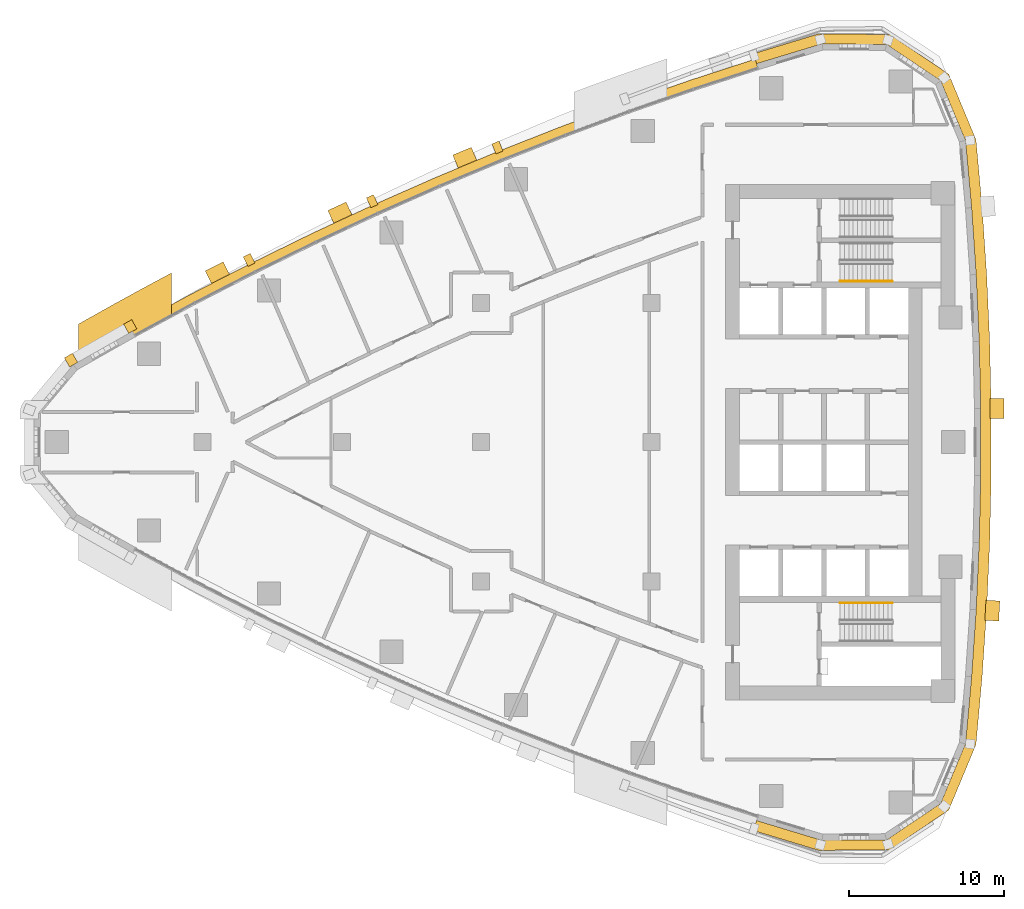
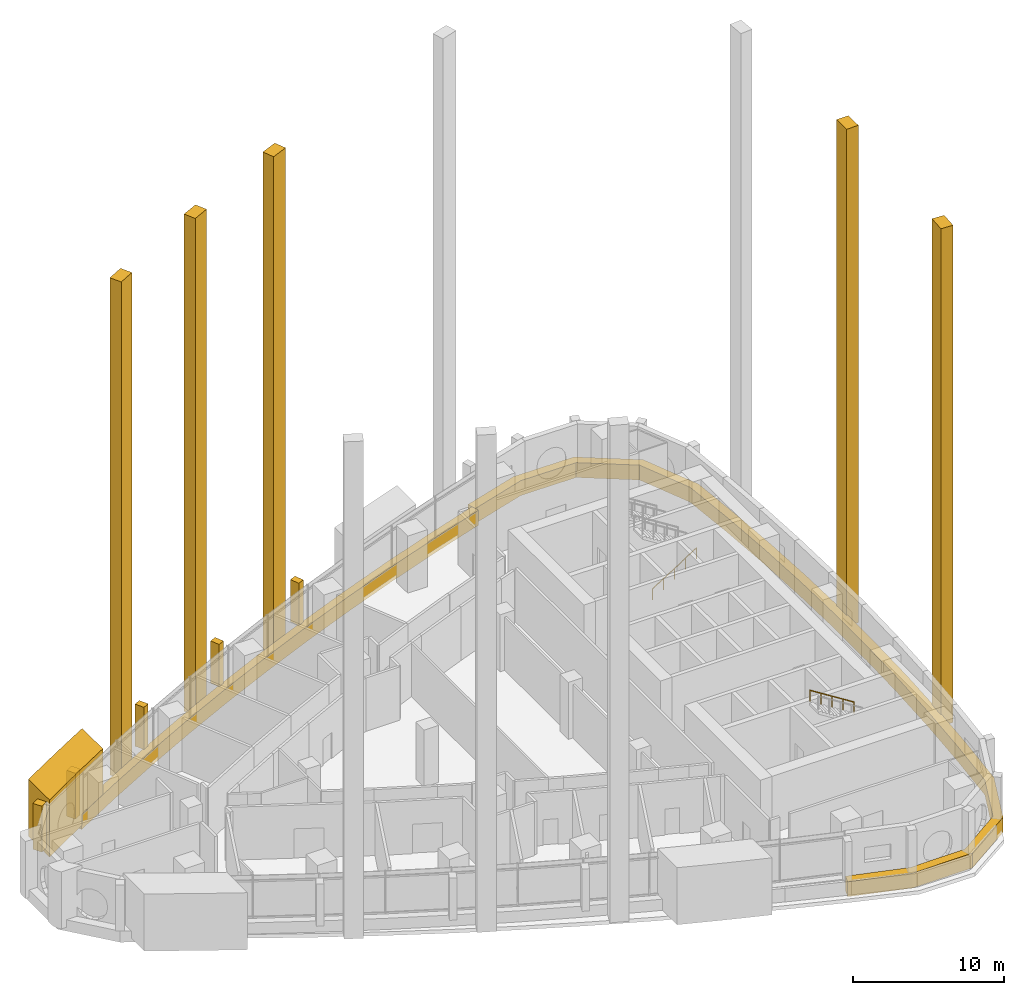
# One storey, part 15 of 17: 13 coverings, 2 railings.
"""IFC4 building model written with IfcOpenShell, lengths in metres."""

import ifcopenshell
import ifcopenshell.guid

model = None  # the IFC model being written
_history = None  # IfcOwnerHistory: only IFC2X3 demands one
_inside = {}  # id of a spatial element -> (the spatial element, [elements in it])
_under = {}  # id of a project, library or spatial element -> (it, [spatial elements below it])
_declared = {}  # id of a project -> (the project, [libraries it declares])
_typed = {}  # id of a type object -> (the type object, [elements of that type])
_made_of = {}  # id of a material, layer set ... -> (it, [elements and type objects made of it])


def new_model(schema):
    """Start an empty IFC model of exactly this schema.

    Asked for "IFC4X3", IfcOpenShell would pick the latest addendum, in which some entities
    have other attributes; the version numbers below select the first issue.
    IFC2X3 requires an IfcOwnerHistory on every rooted entity: one is made here for all.
    """
    global model, _history
    if schema == "IFC4X3":
        model = ifcopenshell.file(schema_version=(4, 3, 0, 0))
    else:
        model = ifcopenshell.file(schema=schema)
    _inside.clear()
    _under.clear()
    _declared.clear()
    _typed.clear()
    _made_of.clear()
    _history = None
    if model.schema == "IFC2X3":
        org = make("IfcOrganization", Name="unknown")
        user = make(
            "IfcPersonAndOrganization",
            ThePerson=make("IfcPerson", FamilyName="unknown"),
            TheOrganization=org,
        )
        app = make(
            "IfcApplication",
            ApplicationDeveloper=org,
            Version="unknown",
            ApplicationFullName="unknown",
            ApplicationIdentifier="unknown",
        )
        _history = make(
            "IfcOwnerHistory",
            OwningUser=user,
            OwningApplication=app,
            ChangeAction="ADDED",
            CreationDate=0,
        )
    return model


def make(cls, **values):
    """One entity of the class cls with the attributes given. An attribute that is None is left unset."""
    return model.create_entity(
        cls, **{name: value for name, value in values.items() if value is not None}
    )


def rooted(cls, **values):
    """An entity with a GlobalId (a new one), such as an element, a storey or a relation."""
    return make(cls, GlobalId=ifcopenshell.guid.new(), OwnerHistory=_history, **values)


def si_unit(unit_type, name, prefix=None):
    """IfcSIUnit, for example si_unit("LENGTHUNIT", "METRE", prefix="MILLI")."""
    return make("IfcSIUnit", UnitType=unit_type, Prefix=prefix, Name=name)


def assignment(units):
    """IfcUnitAssignment: the units of a project."""
    return None if units is None else make("IfcUnitAssignment", Units=units)


def point(xyz):
    """IfcCartesianPoint."""
    return None if xyz is None else make("IfcCartesianPoint", Coordinates=xyz)


def direction(xyz):
    """IfcDirection."""
    return None if xyz is None else make("IfcDirection", DirectionRatios=xyz)


def frame(location, z_axis=None, x_axis=None):
    """IfcAxis2Placement3D, a coordinate frame: its origin and axes. An axis left out is left unset."""
    return make(
        "IfcAxis2Placement3D",
        Location=point(location),
        Axis=direction(z_axis),
        RefDirection=direction(x_axis),
    )


def frame_2d(location, x_axis=None):
    """IfcAxis2Placement2D, a coordinate frame in the plane: its origin and x axis."""
    return make(
        "IfcAxis2Placement2D", Location=point(location), RefDirection=direction(x_axis)
    )


def origin():
    """The frame at (0, 0, 0) with its axes left unset."""
    return frame((0.0, 0.0, 0.0))


def origin_2d():
    """The frame at (0, 0) in the plane with its x axis left unset."""
    return frame_2d((0.0, 0.0))


def place(relative_to, where):
    """IfcLocalPlacement: puts the frame where relative to a parent placement (None: the world)."""
    return make(
        "IfcLocalPlacement", PlacementRelTo=relative_to, RelativePlacement=where
    )


def context(
    kind, dimensions, precision=None, world=None, true_north=None, identifier=None
):
    """IfcGeometricRepresentationContext, for example the 3D "Model" context."""
    return make(
        "IfcGeometricRepresentationContext",
        ContextIdentifier=identifier,
        ContextType=kind,
        CoordinateSpaceDimension=dimensions,
        Precision=precision,
        WorldCoordinateSystem=world,
        TrueNorth=true_north,
    )


def subcontext(parent, identifier, kind, view, scale=None):
    """IfcGeometricRepresentationSubContext, for example "Body" below "Model"."""
    return make(
        "IfcGeometricRepresentationSubContext",
        ContextIdentifier=identifier,
        ContextType=kind,
        ParentContext=parent,
        TargetScale=scale,
        TargetView=view,
    )


def project(units=None, contexts=None):
    """IfcProject with its units and contexts."""
    return rooted(
        "IfcProject",
        Name="project",
        RepresentationContexts=contexts,
        UnitsInContext=assignment(units),
    )


def spatial(cls, under=None, at=None, **own):
    """A site, building, storey or space (cls), placed at a placement, below another one or the project."""
    s = rooted(cls, ObjectPlacement=at, **own)
    if under is not None:
        _under.setdefault(under.id(), (under, []))[1].append(s)
    return s


def polyline(points):
    """IfcPolyline through the points."""
    return make("IfcPolyline", Points=[point(p) for p in points])


def profile(cls, at=None, kind="AREA", **sizes):
    """A parametric profile (cls). Its sizes go by their IFC names, for example OverallWidth=200.0."""
    return make(cls, ProfileType=kind, Position=at, **sizes)


def rectangle(**sizes):
    """IfcRectangleProfileDef."""
    return profile("IfcRectangleProfileDef", **sizes)


def circle(**sizes):
    """IfcCircleProfileDef."""
    return profile("IfcCircleProfileDef", **sizes)


def outline(outer, holes=None, kind="AREA"):
    """IfcArbitraryClosedProfileDef: a profile drawn as a closed curve; with holes, ...WithVoids."""
    if holes is None:
        return make("IfcArbitraryClosedProfileDef", ProfileType=kind, OuterCurve=outer)
    return make(
        "IfcArbitraryProfileDefWithVoids",
        ProfileType=kind,
        OuterCurve=outer,
        InnerCurves=holes,
    )


def extrude(swept, where, along, depth):
    """IfcExtrudedAreaSolid: the profile swept, set in the frame where, extruded along a direction by depth."""
    return make(
        "IfcExtrudedAreaSolid",
        SweptArea=swept,
        Position=where,
        ExtrudedDirection=direction(along),
        Depth=depth,
    )


def shape(context_of_items, identifier, shape_type, items):
    """IfcShapeRepresentation: the items that make up one representation, for example the "Body"."""
    return make(
        "IfcShapeRepresentation",
        ContextOfItems=context_of_items,
        RepresentationIdentifier=identifier,
        RepresentationType=shape_type,
        Items=items,
    )


def material(Name=None, Category=None):
    """IfcMaterial."""
    return make("IfcMaterial", Name=Name, Category=Category)


def layer(
    of_material, thickness, ventilated=None, Name=None, Category=None, Priority=None
):
    """IfcMaterialLayer: one layer of a wall or slab, of a material (None: an air gap)."""
    return make(
        "IfcMaterialLayer",
        Material=of_material,
        LayerThickness=thickness,
        IsVentilated=ventilated,
        Name=Name,
        Category=Category,
        Priority=Priority,
    )


def layer_set(layers, Name=None):
    """IfcMaterialLayerSet."""
    return make("IfcMaterialLayerSet", MaterialLayers=layers, LayerSetName=Name)


def made_of(thing, what):
    """Note that an element or type object is made of a material, layer set ...; save() writes the relation."""
    if what is not None:
        _made_of.setdefault(what.id(), (what, []))[1].append(thing)
    return thing


def type_object(cls, material=None, **own):
    """A type object (cls), such as IfcWallType, which elements share."""
    return made_of(rooted(cls, **own), material)


def element(
    cls,
    number,
    at=None,
    inside=None,
    cuts=None,
    type_object=None,
    material=None,
    context=None,
    identifier="Body",
    shape_type=None,
    held_by="IfcProductDefinitionShape",
    body=None,
    shapes=None,
    **own,
):
    """One element of the class cls, such as IfcWall. Its Tag is "e" and its number.

    at: its placement. inside: the storey or other place that contains it. cuts: it is an
    opening in that element (IfcRelVoidsElement). A single representation is given by context,
    identifier, shape_type and body (its items); several are given by shapes. held_by: the class
    of the entity that holds the representations. save() writes the other relations.
    """
    e = rooted(cls, Tag="e%d" % number, ObjectPlacement=at, **own)
    if body is not None:
        shapes = [shape(context, identifier, shape_type, body)]
    if shapes is not None:
        e.Representation = make(held_by, Representations=shapes)
    if inside is not None:
        _inside.setdefault(inside.id(), (inside, []))[1].append(e)
    if cuts is not None:
        rooted(
            "IfcRelVoidsElement", RelatingBuildingElement=cuts, RelatedOpeningElement=e
        )
    if type_object is not None:
        _typed.setdefault(type_object.id(), (type_object, []))[1].append(e)
    return made_of(e, material)


def aggregate(whole, parts):
    """IfcRelAggregates: a whole, such as a stair, and the parts it consists of."""
    return rooted("IfcRelAggregates", RelatingObject=whole, RelatedObjects=parts)


def save(model, path):
    """Write the relations noted so far, then the file.

    IfcRelAggregates (storeys below a building ...), IfcRelContainedInSpatialStructure (elements
    in a storey), IfcRelDefinesByType, IfcRelAssociatesMaterial and IfcRelDeclares: one each for
    every whole, place, type object, material and project.
    """
    for whole, parts in _under.values():
        aggregate(whole, parts)
    for where, things in _inside.values():
        rooted(
            "IfcRelContainedInSpatialStructure",
            RelatedElements=things,
            RelatingStructure=where,
        )
    for kind, things in _typed.values():
        rooted("IfcRelDefinesByType", RelatedObjects=things, RelatingType=kind)
    for what, things in _made_of.values():
        rooted("IfcRelAssociatesMaterial", RelatedObjects=things, RelatingMaterial=what)
    for by, libraries in _declared.values():
        rooted("IfcRelDeclares", RelatingContext=by, RelatedDefinitions=libraries)
    model.write(path)


model = new_model("IFC4")

# Units and contexts
model_context = context("Model", 3, precision=1e-05, world=origin(), true_north=direction((0.0, 1.0)))
body_context = subcontext(model_context, "Body", "Model", "MODEL_VIEW")
ifc_project = project(units=[si_unit("LENGTHUNIT", "METRE"), si_unit("AREAUNIT", "SQUARE_METRE"), si_unit("VOLUMEUNIT", "CUBIC_METRE"), si_unit("PLANEANGLEUNIT", "RADIAN"), si_unit("MASSUNIT", "GRAM", prefix="KILO")], contexts=[model_context])

# Site, building, storey
site_placement = place(None, origin())
site = spatial("IfcSite", under=ifc_project, at=site_placement, CompositionType="ELEMENT")
building_placement = place(site_placement, origin())
building = spatial("IfcBuilding", under=site, at=building_placement, Name="Ostrand Prow Hotel Tower", CompositionType="ELEMENT")
storey_placement = place(building_placement, frame((0.0, 0.0, 125.60009765625)))
storey = spatial("IfcBuildingStorey", under=building, at=storey_placement, Name="L30", CompositionType="ELEMENT", Elevation=125.60009765625)

# Coverings
ifc_material_1 = material(Name="Bronze anodised aluminium cladding", Category="aluminium")
ifc_layer_1 = layer(ifc_material_1, 0.60009765625)
ifc_layer_set_1 = layer_set([ifc_layer_1], Name="Bronze anodised aluminium cladding")
covering_type_1 = type_object("IfcCoveringType", Name="Bronze spandrel band 1200x600", PredefinedType="CLADDING", material=ifc_layer_set_1)
covering_1_placement = place(storey_placement, frame((0.0, 0.0, -0.300048828125)))
element("IfcCovering", 1, at=covering_1_placement, inside=storey, type_object=covering_type_1, Name="Spandrel band N1", PredefinedType="CLADDING", context=body_context, shape_type="SweptSolid", body=[
    extrude(outline(polyline([(51.705322265625, 24.74560546875), (47.522705078125, 23.385009765625), (43.368408203125, 21.9404296875), (39.243896484375, 20.41259765625), (35.15087890625, 18.80224609375), (31.091064453125, 17.110107421875), (27.06591796875, 15.336669921875), (23.077392578125, 13.482666015625), (19.126953125, 11.548828125), (15.21630859375, 9.535888671875), (11.3466796875, 7.445068359375), (11.63720703125, 6.920166015625), (15.49609375, 9.00537109375), (19.396240234375, 11.0126953125), (23.335693359375, 12.941162109375), (27.3134765625, 14.7900390625), (31.327392578125, 16.55859375), (35.376220703125, 18.24609375), (39.457763671875, 19.85205078125), (43.571044921875, 21.375732421875), (47.714111328125, 22.81640625), (51.88525390625, 24.17333984375), (51.705322265625, 24.74560546875)])), origin(), (0.0, 0.0, 1.0), 1.199951171875),
])
covering_2_placement = place(storey_placement, frame((0.0, 0.0, -0.300048828125)))
element("IfcCovering", 2, at=covering_2_placement, inside=storey, type_object=covering_type_1, Name="Spandrel band back 1", PredefinedType="CLADDING", context=body_context, shape_type="SweptSolid", body=[
    extrude(outline(polyline([(51.594970703125, -25.0966796875), (55.811279296875, -26.375244140625), (60.402099609375, -26.339111328125), (64.211181640625, -23.77587890625), (65.973388671875, -19.53662109375), (66.3662109375, -15.205322265625), (66.66064453125, -10.86669921875), (66.857177734375, -6.522216796875), (66.95556640625, -2.17431640625), (66.95556640625, 2.17431640625), (66.857177734375, 6.522216796875), (66.66064453125, 10.86669921875), (66.3662109375, 15.205322265625), (65.973388671875, 19.53662109375), (64.211181640625, 23.77587890625), (60.402099609375, 26.339111328125), (55.811279296875, 26.375244140625), (51.594970703125, 25.0966796875), (51.798828125, 24.447998046875), (56.001953125, 25.722412109375), (60.201171875, 25.689697265625), (63.68505859375, 23.34521484375), (65.296875, 19.467529296875), (65.688232421875, 15.151611328125), (65.981689453125, 10.828125), (66.177490234375, 6.4990234375), (66.275634765625, 2.166748046875), (66.275634765625, -2.166748046875), (66.177490234375, -6.4990234375), (65.981689453125, -10.828125), (65.688232421875, -15.151611328125), (65.296875, -19.467529296875), (63.68505859375, -23.34521484375), (60.201171875, -25.689697265625), (56.001953125, -25.722412109375), (51.798828125, -24.447998046875), (51.594970703125, -25.0966796875)])), origin(), (0.0, 0.0, 1.0), 1.199951171875),
])
ifc_material_2 = material(Name="Limestone cladding", Category="masonry")
ifc_layer_2 = layer(ifc_material_2, 5.0)
ifc_layer_set_2 = layer_set([ifc_layer_2], Name="Limestone cladding")
covering_type_2 = type_object("IfcCoveringType", Name="Portal jamb pilaster limestone", PredefinedType="CLADDING", material=ifc_layer_set_2)
covering_3_placement = place(storey_placement, origin())
element("IfcCovering", 3, at=covering_3_placement, inside=storey, type_object=covering_type_2, Name="Portal jamb NA L30", PredefinedType="CLADDING", context=body_context, shape_type="SweptSolid", body=[
    extrude(outline(polyline([(8.0, 4.861572265625), (9.0, 5.436767578125), (10.0, 6.0048828125), (11.0, 6.566162109375), (12.0, 7.12060546875), (13.0, 7.66796875), (14.0, 8.208740234375), (14.0, 10.92919921875), (13.0, 10.39599609375), (12.0, 9.856201171875), (11.0, 9.3095703125), (10.0, 8.75634765625), (9.0, 8.1962890625), (8.0, 7.62939453125), (8.0, 4.861572265625)])), origin(), (0.0, 0.0, 1.0), 4.599853515625),
])
ifc_material_3 = material(Name="Limestone cladding", Category="masonry")
ifc_layer_3 = layer(ifc_material_3, 1.300048828125)
ifc_layer_set_3 = layer_set([ifc_layer_3], Name="Limestone cladding")
covering_type_3 = type_object("IfcCoveringType", Name="Precast stone fin 1300x1500", PredefinedType="CLADDING", material=ifc_layer_set_3)
for number, where, z_axis, x_axis, name in (
    (4, (33.11669921875, 17.96630859375, 0.0), (0.0, 0.0, 1.0), (-0.384634644994, 0.923068897683, 0.0), "Stone fin N zone 3 5"),
    (5, (25.067138671875, 14.419677734375, 0.0), (0.0, 0.0, 1.0), (-0.42153365917, 0.906812755858, 0.0), "Stone fin N zone 3 7"),
    (6, (17.16650390625, 10.55224609375, 0.0), (0.0, 0.0, 1.0), (-0.457599281775, 0.889158533288, 0.0), "Stone fin N zone 3 9"),
    (7, (66.580810546875, -10.862060546875, 0.0), (0.0, 0.0, 1.0), (0.998407327282, -0.056416387958, 0.0), "Stone fin back zone 3 7"),
):
    element("IfcCovering", number, at=place(storey_placement, frame(where, z_axis=z_axis, x_axis=x_axis)), inside=storey, type_object=covering_type_3, Name=name, PredefinedType="CLADDING", context=body_context, shape_type="SweptSolid", body=[
        extrude(rectangle(XDim=0.900146484375, YDim=1.300048828125, at=frame_2d((0.4501953125, 0.0))), origin(), (0.0, 0.0, 1.0), 40.099853515625),
    ])
covering_4_placement = place(storey_placement, frame((66.87548828125, 2.173583984375, 0.0), z_axis=(0.0, 0.0, 1.0), x_axis=(0.999938143298, 0.011122480704, 0.0)))
element("IfcCovering", 8, at=covering_4_placement, inside=storey, type_object=covering_type_3, Name="Stone fin back zone 3 10", PredefinedType="CLADDING", context=body_context, shape_type="SweptSolid", body=[
    extrude(rectangle(XDim=0.89990234375, YDim=1.300048828125, at=frame_2d((0.449951171875, 0.0))), origin(), (0.0, 0.0, 1.0), 40.099853515625),
])
ifc_material_4 = material(Name="Limestone cladding", Category="masonry")
ifc_layer_4 = layer(ifc_material_4, 0.5)
ifc_layer_set_4 = layer_set([ifc_layer_4], Name="Limestone cladding")
covering_type_4 = type_object("IfcCoveringType", Name="Precast stone fin 500x600", PredefinedType="CLADDING", material=ifc_layer_set_4)
for number, where, z_axis, x_axis, name in (
    (9, (35.188232421875, 18.709716796875, 0.89990234375), (0.0, 0.0, 1.0), (-0.375356894071, 0.926880360173, 0.0), "Stone fin N 5"),
    (10, (27.107177734375, 15.24560546875, 0.89990234375), (0.0, 0.0, 1.0), (-0.412278168788, 0.911058017659, 0.0), "Stone fin N 7"),
    (11, (19.171875, 11.45947265625, 0.89990234375), (0.0, 0.0, 1.0), (-0.448608411822, 0.893728422309, 0.0), "Stone fin N 9"),
):
    element("IfcCovering", number, at=place(storey_placement, frame(where, z_axis=z_axis, x_axis=x_axis)), inside=storey, type_object=covering_type_4, Name=name, PredefinedType="CLADDING", context=body_context, shape_type="SweptSolid", body=[
        extrude(rectangle(XDim=0.699951171875, YDim=0.5, at=frame_2d((0.35009765625, 0.0))), origin(), (0.0, 0.0, 1.0), 3.39990234375),
    ])
ifc_material_5 = material(Name="Limestone cladding", Category="masonry")
ifc_layer_5 = layer(ifc_material_5, 0.60009765625)
ifc_layer_set_5 = layer_set([ifc_layer_5], Name="Limestone cladding")
covering_type_5 = type_object("IfcCoveringType", Name="Precast stone prow rib 600x600", PredefinedType="CLADDING", material=ifc_layer_set_5)
covering_5_placement = place(storey_placement, frame((11.497802734375, 7.171875, 0.599853515625), z_axis=(0.0, 0.0, 1.0), x_axis=(-0.484301161624, 0.874901357211, 0.0)))
element("IfcCovering", 12, at=covering_5_placement, inside=storey, type_object=covering_type_5, Name="Stone prow rib 1", PredefinedType="CLADDING", context=body_context, shape_type="SweptSolid", body=[
    extrude(rectangle(XDim=0.679931640625, YDim=0.60009765625, at=frame_2d((0.33984375, 0.0))), origin(), (0.0, 0.0, 1.0), 3.699951171875),
])
covering_6_placement = place(storey_placement, frame((7.676513671875, 5.006591796875, 0.599853515625), z_axis=(0.0, 0.0, 1.0), x_axis=(-0.501771803437, 0.865000033107, 0.0)))
element("IfcCovering", 13, at=covering_6_placement, inside=storey, type_object=covering_type_5, Name="Stone prow rib 2", PredefinedType="CLADDING", context=body_context, shape_type="SweptSolid", body=[
    extrude(rectangle(XDim=0.68017578125, YDim=0.60009765625, at=frame_2d((0.340087890625, 0.0))), origin(), (0.0, 0.0, 1.0), 3.699951171875),
])

# Railings
ifc_material_6 = material(Name="Stainless steel", Category="steel")
railing_type = type_object("IfcRailingType", Name="Stair handrail 900", PredefinedType="HANDRAIL", material=ifc_material_6)
railing_1_placement = place(storey_placement, frame((57.199951171875, 10.39990234375, 0.1767578125)))
element("IfcRailing", 14, at=railing_1_placement, inside=storey, type_object=railing_type, Name="L30 ST1C stair handrail 1", PredefinedType="HANDRAIL", context=body_context, shape_type="SweptSolid", body=[
    extrude(circle(Radius=0.02392578125, at=origin_2d()), frame((0.0, 0.0, 0.8759765625), z_axis=(0.845389635667, 0.0, 0.534150132366), x_axis=(0.0, 1.0, 0.0)), (0.0, 0.0, 1.0), 3.974609375),
    extrude(circle(Radius=0.02099609375, at=origin_2d()), origin(), (0.0, 0.0, 1.0), 0.851806640625),
    extrude(circle(Radius=0.02099609375, at=origin_2d()), frame((0.840087890625, 0.0, 0.53076171875)), (0.0, 0.0, 1.0), 0.851806640625),
    extrude(circle(Radius=0.02099609375, at=origin_2d()), frame((1.68017578125, 0.0, 1.0615234375)), (0.0, 0.0, 1.0), 0.851806640625),
    extrude(circle(Radius=0.02099609375, at=origin_2d()), frame((2.52001953125, 0.0, 1.59228515625)), (0.0, 0.0, 1.0), 0.851806640625),
    extrude(circle(Radius=0.02099609375, at=origin_2d()), frame((3.360107421875, 0.0, 2.123046875)), (0.0, 0.0, 1.0), 0.851806640625),
])
railing_2_placement = place(storey_placement, frame((60.56005859375, -10.39990234375, 2.476806640625)))
element("IfcRailing", 15, at=railing_2_placement, inside=storey, type_object=railing_type, Name="L30 ST2C stair handrail 2", PredefinedType="HANDRAIL", context=body_context, shape_type="SweptSolid", body=[
    extrude(circle(Radius=0.02392578125, at=origin_2d()), frame((0.0, 0.0, 0.8759765625), z_axis=(-0.845389635667, 0.0, 0.534150132366), x_axis=(0.0, -1.0, 0.0)), (0.0, 0.0, 1.0), 3.974609375),
    extrude(circle(Radius=0.02099609375, at=origin_2d()), origin(), (0.0, 0.0, 1.0), 0.851806640625),
    extrude(circle(Radius=0.02099609375, at=origin_2d()), frame((-0.840087890625, 0.0, 0.53076171875)), (0.0, 0.0, 1.0), 0.851806640625),
    extrude(circle(Radius=0.02099609375, at=origin_2d()), frame((-1.68017578125, 0.0, 1.0615234375)), (0.0, 0.0, 1.0), 0.851806640625),
    extrude(circle(Radius=0.02099609375, at=origin_2d()), frame((-2.52001953125, 0.0, 1.59228515625)), (0.0, 0.0, 1.0), 0.851806640625),
    extrude(circle(Radius=0.02099609375, at=origin_2d()), frame((-3.360107421875, 0.0, 2.123046875)), (0.0, 0.0, 1.0), 0.851806640625),
])

save(model, "model.ifc")
